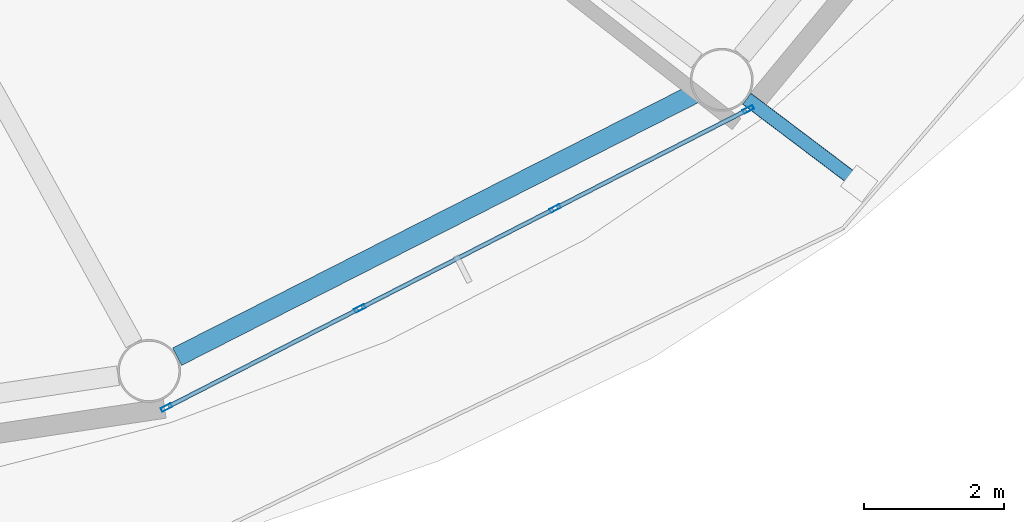
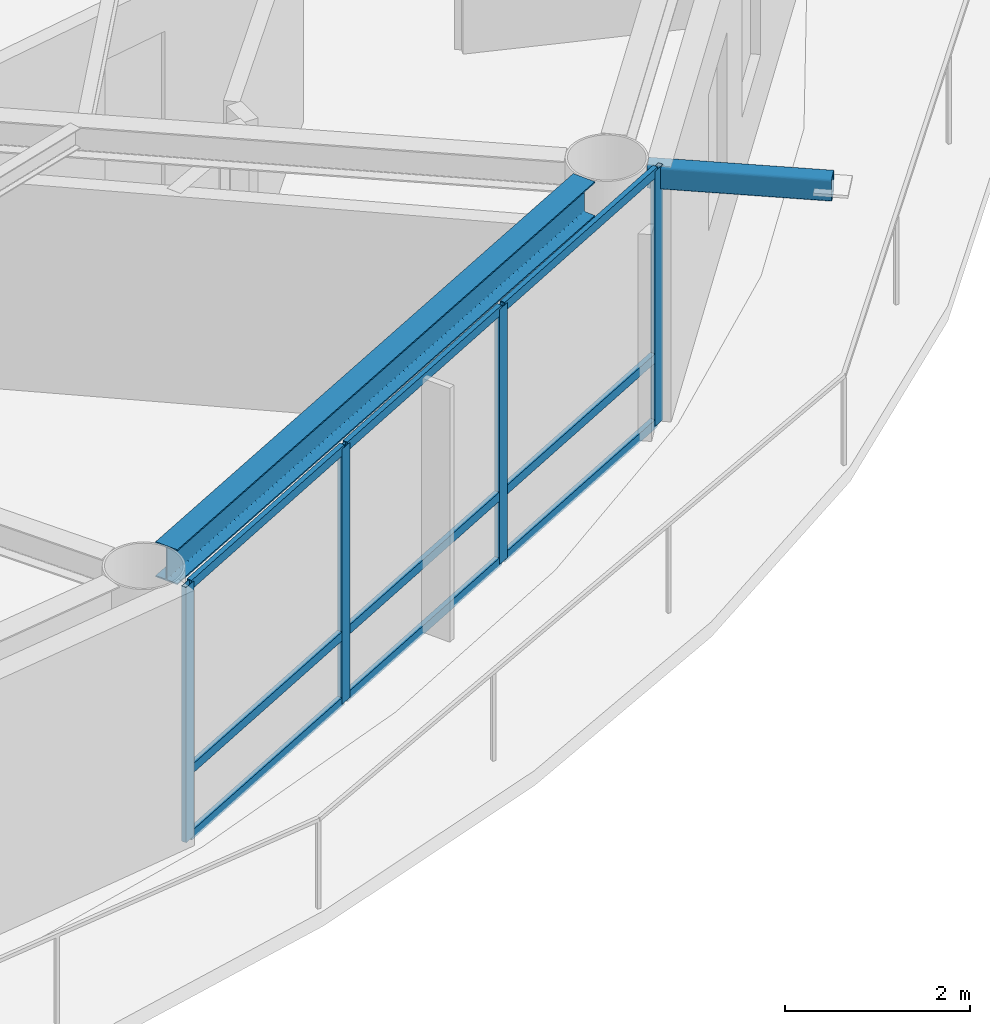
# One storey, part 5 of 22: 14 members, 1 beam, 1 element without a shape of its own.
"""IFC4 building model written with IfcOpenShell, lengths in metres."""

import ifcopenshell
import ifcopenshell.guid

model = None  # the IFC model being written
_history = None  # IfcOwnerHistory: only IFC2X3 demands one
_inside = {}  # id of a spatial element -> (the spatial element, [elements in it])
_under = {}  # id of a project, library or spatial element -> (it, [spatial elements below it])
_declared = {}  # id of a project -> (the project, [libraries it declares])
_typed = {}  # id of a type object -> (the type object, [elements of that type])
_made_of = {}  # id of a material, layer set ... -> (it, [elements and type objects made of it])


def new_model(schema):
    """Start an empty IFC model of exactly this schema.

    Asked for "IFC4X3", IfcOpenShell would pick the latest addendum, in which some entities
    have other attributes; the version numbers below select the first issue.
    IFC2X3 requires an IfcOwnerHistory on every rooted entity: one is made here for all.
    """
    global model, _history
    if schema == "IFC4X3":
        model = ifcopenshell.file(schema_version=(4, 3, 0, 0))
    else:
        model = ifcopenshell.file(schema=schema)
    _inside.clear()
    _under.clear()
    _declared.clear()
    _typed.clear()
    _made_of.clear()
    _history = None
    if model.schema == "IFC2X3":
        org = make("IfcOrganization", Name="unknown")
        user = make(
            "IfcPersonAndOrganization",
            ThePerson=make("IfcPerson", FamilyName="unknown"),
            TheOrganization=org,
        )
        app = make(
            "IfcApplication",
            ApplicationDeveloper=org,
            Version="unknown",
            ApplicationFullName="unknown",
            ApplicationIdentifier="unknown",
        )
        _history = make(
            "IfcOwnerHistory",
            OwningUser=user,
            OwningApplication=app,
            ChangeAction="ADDED",
            CreationDate=0,
        )
    return model


def make(cls, **values):
    """One entity of the class cls with the attributes given. An attribute that is None is left unset."""
    return model.create_entity(
        cls, **{name: value for name, value in values.items() if value is not None}
    )


def rooted(cls, **values):
    """An entity with a GlobalId (a new one), such as an element, a storey or a relation."""
    return make(cls, GlobalId=ifcopenshell.guid.new(), OwnerHistory=_history, **values)


def si_unit(unit_type, name, prefix=None):
    """IfcSIUnit, for example si_unit("LENGTHUNIT", "METRE", prefix="MILLI")."""
    return make("IfcSIUnit", UnitType=unit_type, Prefix=prefix, Name=name)


def assignment(units):
    """IfcUnitAssignment: the units of a project."""
    return None if units is None else make("IfcUnitAssignment", Units=units)


def point(xyz):
    """IfcCartesianPoint."""
    return None if xyz is None else make("IfcCartesianPoint", Coordinates=xyz)


def direction(xyz):
    """IfcDirection."""
    return None if xyz is None else make("IfcDirection", DirectionRatios=xyz)


def frame(location, z_axis=None, x_axis=None):
    """IfcAxis2Placement3D, a coordinate frame: its origin and axes. An axis left out is left unset."""
    return make(
        "IfcAxis2Placement3D",
        Location=point(location),
        Axis=direction(z_axis),
        RefDirection=direction(x_axis),
    )


def frame_2d(location, x_axis=None):
    """IfcAxis2Placement2D, a coordinate frame in the plane: its origin and x axis."""
    return make(
        "IfcAxis2Placement2D", Location=point(location), RefDirection=direction(x_axis)
    )


def origin():
    """The frame at (0, 0, 0) with its axes left unset."""
    return frame((0.0, 0.0, 0.0))


def origin_2d():
    """The frame at (0, 0) in the plane with its x axis left unset."""
    return frame_2d((0.0, 0.0))


def place(relative_to, where):
    """IfcLocalPlacement: puts the frame where relative to a parent placement (None: the world)."""
    return make(
        "IfcLocalPlacement", PlacementRelTo=relative_to, RelativePlacement=where
    )


def context(
    kind, dimensions, precision=None, world=None, true_north=None, identifier=None
):
    """IfcGeometricRepresentationContext, for example the 3D "Model" context."""
    return make(
        "IfcGeometricRepresentationContext",
        ContextIdentifier=identifier,
        ContextType=kind,
        CoordinateSpaceDimension=dimensions,
        Precision=precision,
        WorldCoordinateSystem=world,
        TrueNorth=true_north,
    )


def subcontext(parent, identifier, kind, view, scale=None):
    """IfcGeometricRepresentationSubContext, for example "Body" below "Model"."""
    return make(
        "IfcGeometricRepresentationSubContext",
        ContextIdentifier=identifier,
        ContextType=kind,
        ParentContext=parent,
        TargetScale=scale,
        TargetView=view,
    )


def project(units=None, contexts=None):
    """IfcProject with its units and contexts."""
    return rooted(
        "IfcProject",
        Name="project",
        RepresentationContexts=contexts,
        UnitsInContext=assignment(units),
    )


def spatial(cls, under=None, at=None, **own):
    """A site, building, storey or space (cls), placed at a placement, below another one or the project."""
    s = rooted(cls, ObjectPlacement=at, **own)
    if under is not None:
        _under.setdefault(under.id(), (under, []))[1].append(s)
    return s


def profile(cls, at=None, kind="AREA", **sizes):
    """A parametric profile (cls). Its sizes go by their IFC names, for example OverallWidth=200.0."""
    return make(cls, ProfileType=kind, Position=at, **sizes)


def hollow_rectangle(**sizes):
    """IfcRectangleHollowProfileDef."""
    return profile("IfcRectangleHollowProfileDef", **sizes)


def i_section(**sizes):
    """IfcIShapeProfileDef."""
    return profile("IfcIShapeProfileDef", **sizes)


def extrude(swept, where, along, depth):
    """IfcExtrudedAreaSolid: the profile swept, set in the frame where, extruded along a direction by depth."""
    return make(
        "IfcExtrudedAreaSolid",
        SweptArea=swept,
        Position=where,
        ExtrudedDirection=direction(along),
        Depth=depth,
    )


def shape(context_of_items, identifier, shape_type, items):
    """IfcShapeRepresentation: the items that make up one representation, for example the "Body"."""
    return make(
        "IfcShapeRepresentation",
        ContextOfItems=context_of_items,
        RepresentationIdentifier=identifier,
        RepresentationType=shape_type,
        Items=items,
    )


def material(Name=None, Category=None):
    """IfcMaterial."""
    return make("IfcMaterial", Name=Name, Category=Category)


def layer(
    of_material, thickness, ventilated=None, Name=None, Category=None, Priority=None
):
    """IfcMaterialLayer: one layer of a wall or slab, of a material (None: an air gap)."""
    return make(
        "IfcMaterialLayer",
        Material=of_material,
        LayerThickness=thickness,
        IsVentilated=ventilated,
        Name=Name,
        Category=Category,
        Priority=Priority,
    )


def layer_set(layers, Name=None):
    """IfcMaterialLayerSet."""
    return make("IfcMaterialLayerSet", MaterialLayers=layers, LayerSetName=Name)


def material_profile(
    of_material, cross_section, Name=None, Category=None, Priority=None
):
    """IfcMaterialProfile: a cross section and its material."""
    return make(
        "IfcMaterialProfile",
        Name=Name,
        Material=of_material,
        Profile=cross_section,
        Priority=Priority,
        Category=Category,
    )


def profile_set(profiles, Name=None, composite=None):
    """IfcMaterialProfileSet."""
    return make(
        "IfcMaterialProfileSet",
        Name=Name,
        MaterialProfiles=profiles,
        CompositeProfile=composite,
    )


def made_of(thing, what):
    """Note that an element or type object is made of a material, layer set ...; save() writes the relation."""
    if what is not None:
        _made_of.setdefault(what.id(), (what, []))[1].append(thing)
    return thing


def type_object(cls, material=None, **own):
    """A type object (cls), such as IfcWallType, which elements share."""
    return made_of(rooted(cls, **own), material)


def element(
    cls,
    number,
    at=None,
    inside=None,
    cuts=None,
    type_object=None,
    material=None,
    context=None,
    identifier="Body",
    shape_type=None,
    held_by="IfcProductDefinitionShape",
    body=None,
    shapes=None,
    **own,
):
    """One element of the class cls, such as IfcWall. Its Tag is "e" and its number.

    at: its placement. inside: the storey or other place that contains it. cuts: it is an
    opening in that element (IfcRelVoidsElement). A single representation is given by context,
    identifier, shape_type and body (its items); several are given by shapes. held_by: the class
    of the entity that holds the representations. save() writes the other relations.
    """
    e = rooted(cls, Tag="e%d" % number, ObjectPlacement=at, **own)
    if body is not None:
        shapes = [shape(context, identifier, shape_type, body)]
    if shapes is not None:
        e.Representation = make(held_by, Representations=shapes)
    if inside is not None:
        _inside.setdefault(inside.id(), (inside, []))[1].append(e)
    if cuts is not None:
        rooted(
            "IfcRelVoidsElement", RelatingBuildingElement=cuts, RelatedOpeningElement=e
        )
    if type_object is not None:
        _typed.setdefault(type_object.id(), (type_object, []))[1].append(e)
    return made_of(e, material)


def aggregate(whole, parts):
    """IfcRelAggregates: a whole, such as a stair, and the parts it consists of."""
    return rooted("IfcRelAggregates", RelatingObject=whole, RelatedObjects=parts)


def save(model, path):
    """Write the relations noted so far, then the file.

    IfcRelAggregates (storeys below a building ...), IfcRelContainedInSpatialStructure (elements
    in a storey), IfcRelDefinesByType, IfcRelAssociatesMaterial and IfcRelDeclares: one each for
    every whole, place, type object, material and project.
    """
    for whole, parts in _under.values():
        aggregate(whole, parts)
    for where, things in _inside.values():
        rooted(
            "IfcRelContainedInSpatialStructure",
            RelatedElements=things,
            RelatingStructure=where,
        )
    for kind, things in _typed.values():
        rooted("IfcRelDefinesByType", RelatedObjects=things, RelatingType=kind)
    for what, things in _made_of.values():
        rooted("IfcRelAssociatesMaterial", RelatedObjects=things, RelatingMaterial=what)
    for by, libraries in _declared.values():
        rooted("IfcRelDeclares", RelatingContext=by, RelatedDefinitions=libraries)
    model.write(path)


model = new_model("IFC4")

# Units and contexts
model_context = context("Model", 3, precision=1e-05, world=origin(), true_north=direction((0.0, 1.0)))
body_context = subcontext(model_context, "Body", "Model", "MODEL_VIEW")
ifc_project = project(units=[si_unit("LENGTHUNIT", "METRE"), si_unit("AREAUNIT", "SQUARE_METRE"), si_unit("VOLUMEUNIT", "CUBIC_METRE"), si_unit("PLANEANGLEUNIT", "RADIAN"), si_unit("MASSUNIT", "GRAM", prefix="KILO")], contexts=[model_context])

# Site, building, storey
site_placement = place(None, origin())
site = spatial("IfcSite", under=ifc_project, at=site_placement, CompositionType="ELEMENT")
building_placement = place(site_placement, origin())
building = spatial("IfcBuilding", under=site, at=building_placement, Name="Sarneth Arch Tower", CompositionType="ELEMENT")
storey_placement = place(building_placement, frame((0.0, 0.0, 305.39990234375)))
storey = spatial("IfcBuildingStorey", under=building, at=storey_placement, Name="L79", CompositionType="ELEMENT", Elevation=305.39990234375)

# Beam
ifc_material_1 = material(Name="Steel S355", Category="steel")
ifc_material_profile_1 = material_profile(ifc_material_1, i_section(OverallWidth=0.280029296875, OverallDepth=0.462890625, WebThickness=0.0107421875, FlangeThickness=0.017333984375, FilletRadius=0.01806640625, at=origin_2d()), Name="W460x113")
ifc_profile_set_1 = profile_set([ifc_material_profile_1], Name="Steel S355")
beam_type = type_object("IfcBeamType", Name="BM-RAD-460A", PredefinedType="BEAM", material=ifc_profile_set_1)
beam_placement = place(storey_placement, frame((58.19189453125, 24.465576171875, 3.138671875), z_axis=(0.891376248079, 0.453264144138, 0.0), x_axis=(-0.453264144138, 0.891376248079, 0.0)))
element("IfcBeam", 1, at=beam_placement, inside=storey, type_object=beam_type, Name="L79 Perimeter spandrel beam 14", PredefinedType="BEAM", context=body_context, shape_type="SweptSolid", body=[
    extrude(i_section(OverallWidth=0.280029296875, OverallDepth=0.462890625, WebThickness=0.0107421875, FlangeThickness=0.017333984375, FilletRadius=0.01806640625, at=origin_2d()), origin(), (0.0, 0.0, 1.0), 8.281982421875),
])

# Curtain wall, members
ifc_material_2 = material(Name="Anodised aluminium Type AA25 and solar-control low-e laminated IGU", Category="aluminium")
ifc_layer = layer(ifc_material_2, 0.179931640625)
ifc_layer_set = layer_set([ifc_layer], Name="Anodised aluminium Type AA25 and solar-control low-e laminated IGU")
curtain_wall_type = type_object("IfcCurtainWallType", Name="CW-RES-HIGH", PredefinedType="NOTDEFINED", material=ifc_layer_set)
curtain_wall_placement = place(storey_placement, origin())
curtain_wall = element("IfcCurtainWall", 2, at=curtain_wall_placement, inside=storey, type_object=curtain_wall_type, Name="L79 Unitised curtain wall facet 14", PredefinedType="NOTDEFINED")
ifc_material_3 = material(Name="Anodised Aluminium 6063-T6", Category="aluminium")
ifc_material_profile_2 = material_profile(ifc_material_3, hollow_rectangle(XDim=0.06005859375, YDim=0.159912109375, WallThickness=0.00390625, at=origin_2d()), Name="AL-MULL-160x60x4")
ifc_profile_set_2 = profile_set([ifc_material_profile_2], Name="Anodised Aluminium 6063-T6")
member_type_1 = type_object("IfcMemberType", Name="CW-MULLION", PredefinedType="MULLION", material=ifc_profile_set_2)
member_1_placement = place(storey_placement, frame((58.039306640625, 23.7392578125, 0.0), z_axis=(0.0, 0.0, 1.0), x_axis=(-0.455941901753, 0.890009540525, 0.0)))
member_1 = element("IfcMember", 3, at=member_1_placement, type_object=member_type_1, Name="CW-SYS-6 mullion 1", PredefinedType="MULLION", context=body_context, shape_type="SweptSolid", body=[
    extrude(hollow_rectangle(XDim=0.06005859375, YDim=0.159912109375, WallThickness=0.00390625, at=origin_2d()), origin(), (0.0, 0.0, 1.0), 3.3701171875),
])
member_2_placement = place(storey_placement, frame((60.802490234375, 25.155029296875, 0.0), z_axis=(0.0, 0.0, 1.0), x_axis=(-0.455941901753, 0.890009540525, 0.0)))
member_2 = element("IfcMember", 4, at=member_2_placement, type_object=member_type_1, Name="CW-SYS-6 mullion 2", PredefinedType="MULLION", context=body_context, shape_type="SweptSolid", body=[
    extrude(hollow_rectangle(XDim=0.06005859375, YDim=0.159912109375, WallThickness=0.00390625, at=origin_2d()), origin(), (0.0, 0.0, 1.0), 3.3701171875),
])
member_3_placement = place(storey_placement, frame((63.592529296875, 26.584228515625, 0.0), z_axis=(0.0, 0.0, 1.0), x_axis=(-0.455941901753, 0.890009540525, 0.0)))
member_3 = element("IfcMember", 5, at=member_3_placement, type_object=member_type_1, Name="CW-SYS-6 mullion 3", PredefinedType="MULLION", context=body_context, shape_type="SweptSolid", body=[
    extrude(hollow_rectangle(XDim=0.06005859375, YDim=0.159912109375, WallThickness=0.00390625, at=origin_2d()), origin(), (0.0, 0.0, 1.0), 3.3701171875),
])
member_4_placement = place(storey_placement, frame((66.355712890625, 27.999755859375, 0.0), z_axis=(0.0, 0.0, 1.0), x_axis=(-0.455941901753, 0.890009540525, 0.0)))
member_4 = element("IfcMember", 6, at=member_4_placement, type_object=member_type_1, Name="CW-SYS-6 mullion 4", PredefinedType="MULLION", context=body_context, shape_type="SweptSolid", body=[
    extrude(hollow_rectangle(XDim=0.06005859375, YDim=0.159912109375, WallThickness=0.00390625, at=origin_2d()), origin(), (0.0, 0.0, 1.0), 3.3701171875),
])
ifc_material_4 = material(Name="Anodised Aluminium 6063-T6", Category="aluminium")
ifc_material_profile_3 = material_profile(ifc_material_4, hollow_rectangle(XDim=0.06005859375, YDim=0.1201171875, WallThickness=0.00390625, at=origin_2d()), Name="AL-TRAN-120x60x4")
ifc_profile_set_3 = profile_set([ifc_material_profile_3], Name="Anodised Aluminium 6063-T6")
member_type_2 = type_object("IfcMemberType", Name="CW-TRANSOM", PredefinedType="USERDEFINED", material=ifc_profile_set_3)
member_5_placement = place(storey_placement, frame((58.066162109375, 23.7529296875, 0.030029296875), z_axis=(0.889973523166, 0.456012201662, 0.0), x_axis=(-0.456012201662, 0.889973523166, 0.0)))
member_5 = element("IfcMember", 7, at=member_5_placement, type_object=member_type_2, Name="CW-SYS-6 transom 1.1", ObjectType="TRANSOM", PredefinedType="USERDEFINED", context=body_context, shape_type="SweptSolid", body=[
    extrude(hollow_rectangle(XDim=0.06005859375, YDim=0.1201171875, WallThickness=0.00390625, at=origin_2d()), origin(), (0.0, 0.0, 1.0), 3.044677734375),
])
member_6_placement = place(storey_placement, frame((58.066162109375, 23.7529296875, 0.900146484375), z_axis=(0.889973523166, 0.456012201662, 0.0), x_axis=(-0.456012201662, 0.889973523166, 0.0)))
member_6 = element("IfcMember", 8, at=member_6_placement, type_object=member_type_2, Name="CW-SYS-6 transom 1.2", ObjectType="TRANSOM", PredefinedType="USERDEFINED", context=body_context, shape_type="SweptSolid", body=[
    extrude(hollow_rectangle(XDim=0.06005859375, YDim=0.1201171875, WallThickness=0.00390625, at=origin_2d()), origin(), (0.0, 0.0, 1.0), 3.044677734375),
])
member_7_placement = place(storey_placement, frame((58.066162109375, 23.7529296875, 3.340087890625), z_axis=(0.889973523166, 0.456012201662, 0.0), x_axis=(-0.456012201662, 0.889973523166, 0.0)))
member_7 = element("IfcMember", 9, at=member_7_placement, type_object=member_type_2, Name="CW-SYS-6 transom 1.3", ObjectType="TRANSOM", PredefinedType="USERDEFINED", context=body_context, shape_type="SweptSolid", body=[
    extrude(hollow_rectangle(XDim=0.06005859375, YDim=0.1201171875, WallThickness=0.00390625, at=origin_2d()), origin(), (0.0, 0.0, 1.0), 3.044677734375),
])
member_8_placement = place(storey_placement, frame((60.829345703125, 25.168701171875, 0.030029296875), z_axis=(0.890017432405, 0.455926496286, 0.0), x_axis=(-0.455926496286, 0.890017432405, 0.0)))
member_8 = element("IfcMember", 10, at=member_8_placement, type_object=member_type_2, Name="CW-SYS-6 transom 2.1", ObjectType="TRANSOM", PredefinedType="USERDEFINED", context=body_context, shape_type="SweptSolid", body=[
    extrude(hollow_rectangle(XDim=0.06005859375, YDim=0.1201171875, WallThickness=0.00390625, at=origin_2d()), origin(), (0.0, 0.0, 1.0), 3.07470703125),
])
member_9_placement = place(storey_placement, frame((60.829345703125, 25.168701171875, 0.900146484375), z_axis=(0.890017432405, 0.455926496286, 0.0), x_axis=(-0.455926496286, 0.890017432405, 0.0)))
member_9 = element("IfcMember", 11, at=member_9_placement, type_object=member_type_2, Name="CW-SYS-6 transom 2.2", ObjectType="TRANSOM", PredefinedType="USERDEFINED", context=body_context, shape_type="SweptSolid", body=[
    extrude(hollow_rectangle(XDim=0.06005859375, YDim=0.1201171875, WallThickness=0.00390625, at=origin_2d()), origin(), (0.0, 0.0, 1.0), 3.07470703125),
])
member_10_placement = place(storey_placement, frame((60.829345703125, 25.168701171875, 3.340087890625), z_axis=(0.890017432405, 0.455926496286, 0.0), x_axis=(-0.455926496286, 0.890017432405, 0.0)))
member_10 = element("IfcMember", 12, at=member_10_placement, type_object=member_type_2, Name="CW-SYS-6 transom 2.3", ObjectType="TRANSOM", PredefinedType="USERDEFINED", context=body_context, shape_type="SweptSolid", body=[
    extrude(hollow_rectangle(XDim=0.06005859375, YDim=0.1201171875, WallThickness=0.00390625, at=origin_2d()), origin(), (0.0, 0.0, 1.0), 3.07470703125),
])
member_11_placement = place(storey_placement, frame((63.619140625, 26.597900390625, 0.030029296875), z_axis=(0.890022732705, 0.455916149384, 0.0), x_axis=(-0.455916149384, 0.890022732705, 0.0)))
member_11 = element("IfcMember", 13, at=member_11_placement, type_object=member_type_2, Name="CW-SYS-6 transom 3.1", ObjectType="TRANSOM", PredefinedType="USERDEFINED", context=body_context, shape_type="SweptSolid", body=[
    extrude(hollow_rectangle(XDim=0.06005859375, YDim=0.1201171875, WallThickness=0.00390625, at=origin_2d()), origin(), (0.0, 0.0, 1.0), 3.044921875),
])
member_12_placement = place(storey_placement, frame((63.619140625, 26.597900390625, 0.900146484375), z_axis=(0.890022732705, 0.455916149384, 0.0), x_axis=(-0.455916149384, 0.890022732705, 0.0)))
member_12 = element("IfcMember", 14, at=member_12_placement, type_object=member_type_2, Name="CW-SYS-6 transom 3.2", ObjectType="TRANSOM", PredefinedType="USERDEFINED", context=body_context, shape_type="SweptSolid", body=[
    extrude(hollow_rectangle(XDim=0.06005859375, YDim=0.1201171875, WallThickness=0.00390625, at=origin_2d()), origin(), (0.0, 0.0, 1.0), 3.044921875),
])
member_13_placement = place(storey_placement, frame((63.619140625, 26.597900390625, 3.340087890625), z_axis=(0.890022732705, 0.455916149384, 0.0), x_axis=(-0.455916149384, 0.890022732705, 0.0)))
member_13 = element("IfcMember", 15, at=member_13_placement, type_object=member_type_2, Name="CW-SYS-6 transom 3.3", ObjectType="TRANSOM", PredefinedType="USERDEFINED", context=body_context, shape_type="SweptSolid", body=[
    extrude(hollow_rectangle(XDim=0.06005859375, YDim=0.1201171875, WallThickness=0.00390625, at=origin_2d()), origin(), (0.0, 0.0, 1.0), 3.044921875),
])
aggregate(curtain_wall, [member_1, member_2, member_3, member_4, member_5, member_6, member_7, member_8, member_9, member_10, member_11, member_12, member_13])

# Member
ifc_material_5 = material(Name="Steel S355", Category="steel")
ifc_material_profile_4 = material_profile(ifc_material_5, hollow_rectangle(XDim=0.199951171875, YDim=0.300048828125, WallThickness=0.012451171875, InnerFilletRadius=0.018798828125, OuterFilletRadius=0.03125, at=origin_2d()), Name="RHS300x200x12.5")
ifc_profile_set_4 = profile_set([ifc_material_profile_4], Name="Steel S355")
member_type_3 = type_object("IfcMemberType", Name="MEM-CANT-STRUT", PredefinedType="STRUT", material=ifc_profile_set_4)
member_14_placement = place(storey_placement, frame((66.334228515625, 28.15234375, 3.210205078125), z_axis=(0.797986598511, -0.602675193281, 0.0), x_axis=(0.602675193281, 0.797986598511, 0.0)))
element("IfcMember", 16, at=member_14_placement, inside=storey, type_object=member_type_3, Name="L79 Balcony cantilever bracket 15", PredefinedType="STRUT", context=body_context, shape_type="SweptSolid", body=[
    extrude(hollow_rectangle(XDim=0.199951171875, YDim=0.300048828125, WallThickness=0.012451171875, InnerFilletRadius=0.018798828125, OuterFilletRadius=0.03125, at=origin_2d()), origin(), (0.0, 0.0, 1.0), 2.012451171875),
])

save(model, "model.ifc")
